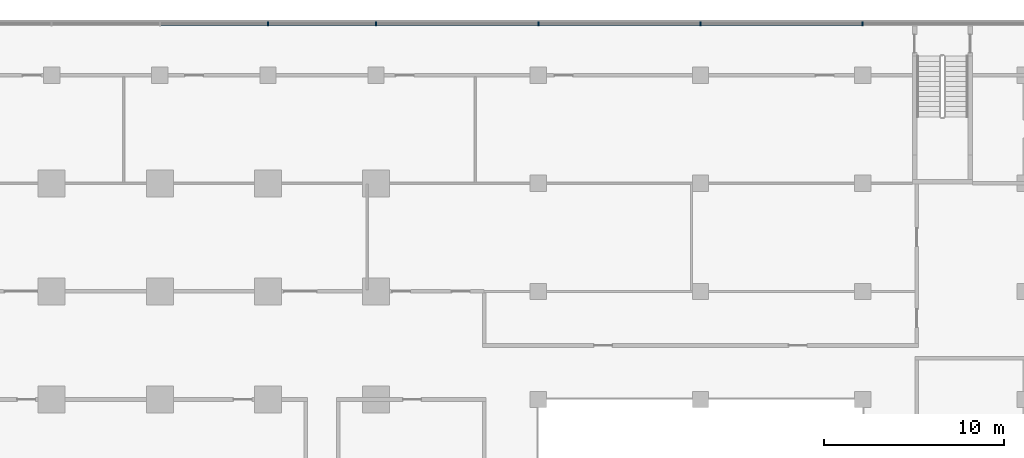
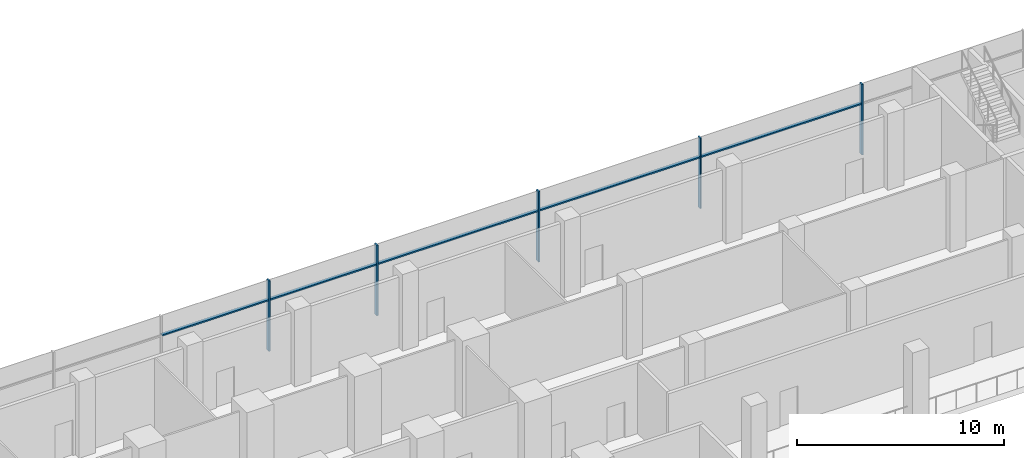
# One storey, part 8 of 22: 10 members, 1 element without a shape of its own.
"""IFC4 building model written with IfcOpenShell, lengths in metres."""

from ifc_helpers import new_model, si_unit, direction, frame, origin, origin_2d, place, context, subcontext, project, spatial, rectangle, extrude, material, material_profile, profile_set, type_object, element, aggregate, save


model = new_model("IFC4")

# Units and contexts
model_context = context("Model", 3, precision=1e-05, world=origin(), true_north=direction((0.0, 1.0)))
body_context = subcontext(model_context, "Body", "Model", "MODEL_VIEW")
ifc_project = project(units=[si_unit("LENGTHUNIT", "METRE"), si_unit("AREAUNIT", "SQUARE_METRE"), si_unit("VOLUMEUNIT", "CUBIC_METRE"), si_unit("PLANEANGLEUNIT", "RADIAN"), si_unit("MASSUNIT", "GRAM", prefix="KILO")], contexts=[model_context])

# Site, building, storey
site_placement = place(None, origin())
site = spatial("IfcSite", under=ifc_project, at=site_placement, CompositionType="ELEMENT")
building_placement = place(site_placement, origin())
building = spatial("IfcBuilding", under=site, at=building_placement, Name="Finial Court Residences", CompositionType="ELEMENT")
storey_placement = place(building_placement, frame((0.0, 0.0, 23.5)))
storey = spatial("IfcBuildingStorey", under=building, at=storey_placement, Name="L04", CompositionType="ELEMENT", Elevation=23.5)

# Curtain wall, members
ifc_material = material(Name="Bronze anodised aluminium", Category="aluminium")
curtain_wall_type = type_object("IfcCurtainWallType", Name="Podium curtain wall", PredefinedType="NOTDEFINED", material=ifc_material)
curtain_wall_placement = place(storey_placement, origin())
curtain_wall = element("IfcCurtainWall", 1, at=curtain_wall_placement, inside=storey, type_object=curtain_wall_type, Name="E-L04-CW-N1", PredefinedType="NOTDEFINED")
ifc_material_profile_1 = material_profile(ifc_material, rectangle(XDim=0.22509765625, YDim=0.080078125, at=origin_2d()), Name="CW5 mullion 80 x 225")
ifc_profile_set_1 = profile_set([ifc_material_profile_1], Name="Bronze anodised aluminium")
member_type_1 = type_object("IfcMemberType", Name="CW5 mullion 80 x 225", PredefinedType="MULLION", material=ifc_profile_set_1)
member_1_placement = place(storey_placement, frame((16.5, 34.35009765625, 0.0), z_axis=(0.0, 0.0, 1.0), x_axis=(0.0, 1.0, 0.0)))
member_1 = element("IfcMember", 2, at=member_1_placement, type_object=member_type_1, Name="CW5 mullion 9", PredefinedType="MULLION", context=body_context, shape_type="SweptSolid", body=[
    extrude(rectangle(XDim=0.22509765625, YDim=0.080078125, at=origin_2d()), origin(), (0.0, 0.0, 1.0), 4.14990234375),
])
member_2_placement = place(storey_placement, frame((22.5, 34.35009765625, 0.0), z_axis=(0.0, 0.0, 1.0), x_axis=(0.0, 1.0, 0.0)))
member_2 = element("IfcMember", 3, at=member_2_placement, type_object=member_type_1, Name="CW5 mullion 10", PredefinedType="MULLION", context=body_context, shape_type="SweptSolid", body=[
    extrude(rectangle(XDim=0.22509765625, YDim=0.080078125, at=origin_2d()), origin(), (0.0, 0.0, 1.0), 4.14990234375),
])
member_3_placement = place(storey_placement, frame((31.5, 34.35009765625, 0.0), z_axis=(0.0, 0.0, 1.0), x_axis=(0.0, 1.0, 0.0)))
member_3 = element("IfcMember", 4, at=member_3_placement, type_object=member_type_1, Name="CW5 mullion 11", PredefinedType="MULLION", context=body_context, shape_type="SweptSolid", body=[
    extrude(rectangle(XDim=0.22509765625, YDim=0.080078125, at=origin_2d()), origin(), (0.0, 0.0, 1.0), 4.14990234375),
])
member_4_placement = place(storey_placement, frame((40.5, 34.35009765625, 0.0), z_axis=(0.0, 0.0, 1.0), x_axis=(0.0, 1.0, 0.0)))
member_4 = element("IfcMember", 5, at=member_4_placement, type_object=member_type_1, Name="CW5 mullion 12", PredefinedType="MULLION", context=body_context, shape_type="SweptSolid", body=[
    extrude(rectangle(XDim=0.22509765625, YDim=0.080078125, at=origin_2d()), origin(), (0.0, 0.0, 1.0), 4.14990234375),
])
member_5_placement = place(storey_placement, frame((49.5, 34.35009765625, 0.0), z_axis=(0.0, 0.0, 1.0), x_axis=(0.0, 1.0, 0.0)))
member_5 = element("IfcMember", 6, at=member_5_placement, type_object=member_type_1, Name="CW5 mullion 13", PredefinedType="MULLION", context=body_context, shape_type="SweptSolid", body=[
    extrude(rectangle(XDim=0.22509765625, YDim=0.080078125, at=origin_2d()), origin(), (0.0, 0.0, 1.0), 4.14990234375),
])
ifc_material_profile_2 = material_profile(ifc_material, rectangle(XDim=0.175048828125, YDim=0.080078125, at=origin_2d()), Name="CW5 transom 80 x 175")
ifc_profile_set_2 = profile_set([ifc_material_profile_2], Name="Bronze anodised aluminium")
member_type_2 = type_object("IfcMemberType", Name="CW5 transom 80 x 175", PredefinedType="USERDEFINED", material=ifc_profile_set_2)
member_6_placement = place(storey_placement, frame((10.5400390625, 34.35009765625, 3.0), z_axis=(1.0, 0.0, 0.0), x_axis=(0.0, 1.0, 0.0)))
member_6 = element("IfcMember", 7, at=member_6_placement, type_object=member_type_2, Name="CW5 transom 8.1", ObjectType="TRANSOM", PredefinedType="USERDEFINED", context=body_context, shape_type="SweptSolid", body=[
    extrude(rectangle(XDim=0.175048828125, YDim=0.080078125, at=origin_2d()), origin(), (0.0, 0.0, 1.0), 5.919921875),
])
member_7_placement = place(storey_placement, frame((16.5400390625, 34.35009765625, 3.0), z_axis=(1.0, 0.0, 0.0), x_axis=(0.0, 1.0, 0.0)))
member_7 = element("IfcMember", 8, at=member_7_placement, type_object=member_type_2, Name="CW5 transom 9.1", ObjectType="TRANSOM", PredefinedType="USERDEFINED", context=body_context, shape_type="SweptSolid", body=[
    extrude(rectangle(XDim=0.175048828125, YDim=0.080078125, at=origin_2d()), origin(), (0.0, 0.0, 1.0), 5.919921875),
])
member_8_placement = place(storey_placement, frame((22.5400390625, 34.35009765625, 3.0), z_axis=(1.0, 0.0, 0.0), x_axis=(0.0, 1.0, 0.0)))
member_8 = element("IfcMember", 9, at=member_8_placement, type_object=member_type_2, Name="CW5 transom 10.1", ObjectType="TRANSOM", PredefinedType="USERDEFINED", context=body_context, shape_type="SweptSolid", body=[
    extrude(rectangle(XDim=0.175048828125, YDim=0.080078125, at=origin_2d()), origin(), (0.0, 0.0, 1.0), 8.919921875),
])
member_9_placement = place(storey_placement, frame((31.5400390625, 34.35009765625, 3.0), z_axis=(1.0, 0.0, 0.0), x_axis=(0.0, 1.0, 0.0)))
member_9 = element("IfcMember", 10, at=member_9_placement, type_object=member_type_2, Name="CW5 transom 11.1", ObjectType="TRANSOM", PredefinedType="USERDEFINED", context=body_context, shape_type="SweptSolid", body=[
    extrude(rectangle(XDim=0.175048828125, YDim=0.080078125, at=origin_2d()), origin(), (0.0, 0.0, 1.0), 8.919921875),
])
member_10_placement = place(storey_placement, frame((40.5400390625, 34.35009765625, 3.0), z_axis=(1.0, 0.0, 0.0), x_axis=(0.0, 1.0, 0.0)))
member_10 = element("IfcMember", 11, at=member_10_placement, type_object=member_type_2, Name="CW5 transom 12.1", ObjectType="TRANSOM", PredefinedType="USERDEFINED", context=body_context, shape_type="SweptSolid", body=[
    extrude(rectangle(XDim=0.175048828125, YDim=0.080078125, at=origin_2d()), origin(), (0.0, 0.0, 1.0), 8.919921875),
])
aggregate(curtain_wall, [member_1, member_2, member_3, member_4, member_5, member_6, member_7, member_8, member_9, member_10])

save(model, "model.ifc")
